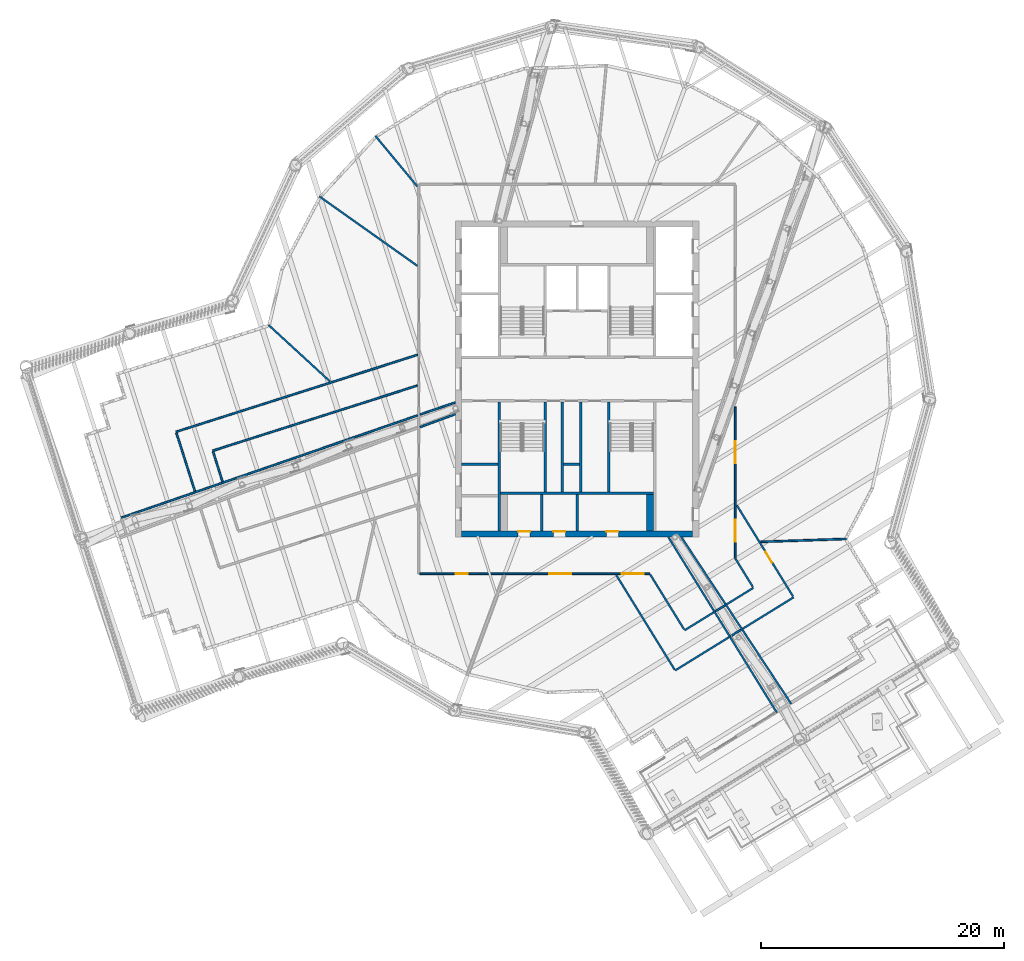
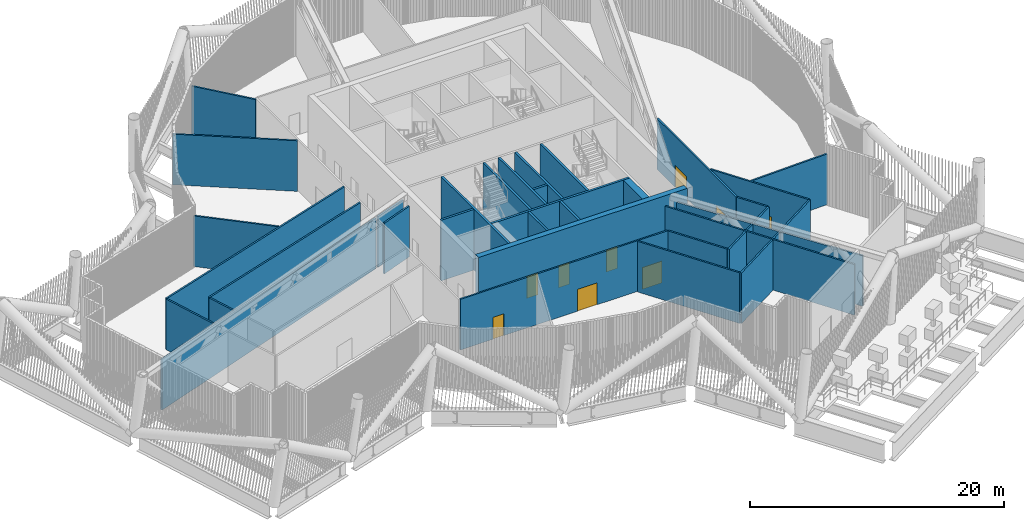
# One storey, part 13 of 40: 37 walls, 9 doors, 9 openings.
"""IFC4 building model written with IfcOpenShell, lengths in metres."""

import ifcopenshell
import ifcopenshell.guid

model = None  # the IFC model being written
_history = None  # IfcOwnerHistory: only IFC2X3 demands one
_inside = {}  # id of a spatial element -> (the spatial element, [elements in it])
_under = {}  # id of a project, library or spatial element -> (it, [spatial elements below it])
_declared = {}  # id of a project -> (the project, [libraries it declares])
_typed = {}  # id of a type object -> (the type object, [elements of that type])
_made_of = {}  # id of a material, layer set ... -> (it, [elements and type objects made of it])


def new_model(schema):
    """Start an empty IFC model of exactly this schema.

    Asked for "IFC4X3", IfcOpenShell would pick the latest addendum, in which some entities
    have other attributes; the version numbers below select the first issue.
    IFC2X3 requires an IfcOwnerHistory on every rooted entity: one is made here for all.
    """
    global model, _history
    if schema == "IFC4X3":
        model = ifcopenshell.file(schema_version=(4, 3, 0, 0))
    else:
        model = ifcopenshell.file(schema=schema)
    _inside.clear()
    _under.clear()
    _declared.clear()
    _typed.clear()
    _made_of.clear()
    _history = None
    if model.schema == "IFC2X3":
        org = make("IfcOrganization", Name="unknown")
        user = make(
            "IfcPersonAndOrganization",
            ThePerson=make("IfcPerson", FamilyName="unknown"),
            TheOrganization=org,
        )
        app = make(
            "IfcApplication",
            ApplicationDeveloper=org,
            Version="unknown",
            ApplicationFullName="unknown",
            ApplicationIdentifier="unknown",
        )
        _history = make(
            "IfcOwnerHistory",
            OwningUser=user,
            OwningApplication=app,
            ChangeAction="ADDED",
            CreationDate=0,
        )
    return model


def make(cls, **values):
    """One entity of the class cls with the attributes given. An attribute that is None is left unset."""
    return model.create_entity(
        cls, **{name: value for name, value in values.items() if value is not None}
    )


def rooted(cls, **values):
    """An entity with a GlobalId (a new one), such as an element, a storey or a relation."""
    return make(cls, GlobalId=ifcopenshell.guid.new(), OwnerHistory=_history, **values)


def si_unit(unit_type, name, prefix=None):
    """IfcSIUnit, for example si_unit("LENGTHUNIT", "METRE", prefix="MILLI")."""
    return make("IfcSIUnit", UnitType=unit_type, Prefix=prefix, Name=name)


def assignment(units):
    """IfcUnitAssignment: the units of a project."""
    return None if units is None else make("IfcUnitAssignment", Units=units)


def point(xyz):
    """IfcCartesianPoint."""
    return None if xyz is None else make("IfcCartesianPoint", Coordinates=xyz)


def direction(xyz):
    """IfcDirection."""
    return None if xyz is None else make("IfcDirection", DirectionRatios=xyz)


def frame(location, z_axis=None, x_axis=None):
    """IfcAxis2Placement3D, a coordinate frame: its origin and axes. An axis left out is left unset."""
    return make(
        "IfcAxis2Placement3D",
        Location=point(location),
        Axis=direction(z_axis),
        RefDirection=direction(x_axis),
    )


def frame_2d(location, x_axis=None):
    """IfcAxis2Placement2D, a coordinate frame in the plane: its origin and x axis."""
    return make(
        "IfcAxis2Placement2D", Location=point(location), RefDirection=direction(x_axis)
    )


def origin():
    """The frame at (0, 0, 0) with its axes left unset."""
    return frame((0.0, 0.0, 0.0))


def place(relative_to, where):
    """IfcLocalPlacement: puts the frame where relative to a parent placement (None: the world)."""
    return make(
        "IfcLocalPlacement", PlacementRelTo=relative_to, RelativePlacement=where
    )


def context(
    kind, dimensions, precision=None, world=None, true_north=None, identifier=None
):
    """IfcGeometricRepresentationContext, for example the 3D "Model" context."""
    return make(
        "IfcGeometricRepresentationContext",
        ContextIdentifier=identifier,
        ContextType=kind,
        CoordinateSpaceDimension=dimensions,
        Precision=precision,
        WorldCoordinateSystem=world,
        TrueNorth=true_north,
    )


def subcontext(parent, identifier, kind, view, scale=None):
    """IfcGeometricRepresentationSubContext, for example "Body" below "Model"."""
    return make(
        "IfcGeometricRepresentationSubContext",
        ContextIdentifier=identifier,
        ContextType=kind,
        ParentContext=parent,
        TargetScale=scale,
        TargetView=view,
    )


def project(units=None, contexts=None):
    """IfcProject with its units and contexts."""
    return rooted(
        "IfcProject",
        Name="project",
        RepresentationContexts=contexts,
        UnitsInContext=assignment(units),
    )


def spatial(cls, under=None, at=None, **own):
    """A site, building, storey or space (cls), placed at a placement, below another one or the project."""
    s = rooted(cls, ObjectPlacement=at, **own)
    if under is not None:
        _under.setdefault(under.id(), (under, []))[1].append(s)
    return s


def profile(cls, at=None, kind="AREA", **sizes):
    """A parametric profile (cls). Its sizes go by their IFC names, for example OverallWidth=200.0."""
    return make(cls, ProfileType=kind, Position=at, **sizes)


def rectangle(**sizes):
    """IfcRectangleProfileDef."""
    return profile("IfcRectangleProfileDef", **sizes)


def extrude(swept, where, along, depth):
    """IfcExtrudedAreaSolid: the profile swept, set in the frame where, extruded along a direction by depth."""
    return make(
        "IfcExtrudedAreaSolid",
        SweptArea=swept,
        Position=where,
        ExtrudedDirection=direction(along),
        Depth=depth,
    )


def shape(context_of_items, identifier, shape_type, items):
    """IfcShapeRepresentation: the items that make up one representation, for example the "Body"."""
    return make(
        "IfcShapeRepresentation",
        ContextOfItems=context_of_items,
        RepresentationIdentifier=identifier,
        RepresentationType=shape_type,
        Items=items,
    )


def material(Name=None, Category=None):
    """IfcMaterial."""
    return make("IfcMaterial", Name=Name, Category=Category)


def layer(
    of_material, thickness, ventilated=None, Name=None, Category=None, Priority=None
):
    """IfcMaterialLayer: one layer of a wall or slab, of a material (None: an air gap)."""
    return make(
        "IfcMaterialLayer",
        Material=of_material,
        LayerThickness=thickness,
        IsVentilated=ventilated,
        Name=Name,
        Category=Category,
        Priority=Priority,
    )


def layer_set(layers, Name=None):
    """IfcMaterialLayerSet."""
    return make("IfcMaterialLayerSet", MaterialLayers=layers, LayerSetName=Name)


def made_of(thing, what):
    """Note that an element or type object is made of a material, layer set ...; save() writes the relation."""
    if what is not None:
        _made_of.setdefault(what.id(), (what, []))[1].append(thing)
    return thing


def type_object(cls, material=None, **own):
    """A type object (cls), such as IfcWallType, which elements share."""
    return made_of(rooted(cls, **own), material)


def element(
    cls,
    number,
    at=None,
    inside=None,
    cuts=None,
    type_object=None,
    material=None,
    context=None,
    identifier="Body",
    shape_type=None,
    held_by="IfcProductDefinitionShape",
    body=None,
    shapes=None,
    **own,
):
    """One element of the class cls, such as IfcWall. Its Tag is "e" and its number.

    at: its placement. inside: the storey or other place that contains it. cuts: it is an
    opening in that element (IfcRelVoidsElement). A single representation is given by context,
    identifier, shape_type and body (its items); several are given by shapes. held_by: the class
    of the entity that holds the representations. save() writes the other relations.
    """
    e = rooted(cls, Tag="e%d" % number, ObjectPlacement=at, **own)
    if body is not None:
        shapes = [shape(context, identifier, shape_type, body)]
    if shapes is not None:
        e.Representation = make(held_by, Representations=shapes)
    if inside is not None:
        _inside.setdefault(inside.id(), (inside, []))[1].append(e)
    if cuts is not None:
        rooted(
            "IfcRelVoidsElement", RelatingBuildingElement=cuts, RelatedOpeningElement=e
        )
    if type_object is not None:
        _typed.setdefault(type_object.id(), (type_object, []))[1].append(e)
    return made_of(e, material)


def fill(opening, filler):
    """IfcRelFillsElement: the door or window that sits in an opening."""
    return rooted(
        "IfcRelFillsElement",
        RelatingOpeningElement=opening,
        RelatedBuildingElement=filler,
    )


def aggregate(whole, parts):
    """IfcRelAggregates: a whole, such as a stair, and the parts it consists of."""
    return rooted("IfcRelAggregates", RelatingObject=whole, RelatedObjects=parts)


def save(model, path):
    """Write the relations noted so far, then the file.

    IfcRelAggregates (storeys below a building ...), IfcRelContainedInSpatialStructure (elements
    in a storey), IfcRelDefinesByType, IfcRelAssociatesMaterial and IfcRelDeclares: one each for
    every whole, place, type object, material and project.
    """
    for whole, parts in _under.values():
        aggregate(whole, parts)
    for where, things in _inside.values():
        rooted(
            "IfcRelContainedInSpatialStructure",
            RelatedElements=things,
            RelatingStructure=where,
        )
    for kind, things in _typed.values():
        rooted("IfcRelDefinesByType", RelatedObjects=things, RelatingType=kind)
    for what, things in _made_of.values():
        rooted("IfcRelAssociatesMaterial", RelatedObjects=things, RelatingMaterial=what)
    for by, libraries in _declared.values():
        rooted("IfcRelDeclares", RelatingContext=by, RelatedDefinitions=libraries)
    model.write(path)


model = new_model("IFC4")

# Units and contexts
model_context = context("Model", 3, precision=1e-05, world=origin(), true_north=direction((0.0, 1.0)))
body_context = subcontext(model_context, "Body", "Model", "MODEL_VIEW")
ifc_project = project(units=[si_unit("LENGTHUNIT", "METRE"), si_unit("AREAUNIT", "SQUARE_METRE"), si_unit("VOLUMEUNIT", "CUBIC_METRE"), si_unit("PLANEANGLEUNIT", "RADIAN"), si_unit("MASSUNIT", "GRAM", prefix="KILO")], contexts=[model_context])

# Site, building, storey
site_placement = place(None, origin())
site = spatial("IfcSite", under=ifc_project, at=site_placement, CompositionType="ELEMENT")
building_placement = place(site_placement, origin())
building = spatial("IfcBuilding", under=site, at=building_placement, Name="Tarsis Ring Headquarters", CompositionType="ELEMENT")
storey_placement = place(building_placement, frame((0.0, 0.0, 354.800048828125)))
storey = spatial("IfcBuildingStorey", under=building, at=storey_placement, Name="L84", CompositionType="ELEMENT", Elevation=354.800048828125)

# Walls
ifc_material_1 = material(Name="Blockwork", Category="masonry")
ifc_layer_1 = layer(ifc_material_1, 0.199951171875)
ifc_layer_set_1 = layer_set([ifc_layer_1], Name="Core blockwork wall 200")
wall_type_1 = type_object("IfcWallType", Name="Core blockwork wall 200", PredefinedType="PARTITIONING", material=ifc_layer_set_1)
for number, where, z_axis, x_axis, name in (
    (1, (-9.5, -7.0, 0.0), (0.0, 0.0, 1.0), (1.0, 0.0, 0.0), "Core partition WD2"),
    (2, (-2.89990234375, -12.5, 0.0), (0.0, 0.0, 1.0), (0.0, 1.0, 0.0), "Core partition SD1"),
    (3, (0.0, -12.5, 0.0), (0.0, 0.0, 1.0), (0.0, 1.0, 0.0), "Core partition SD2"),
):
    element("IfcWall", number, at=place(storey_placement, frame(where, z_axis=z_axis, x_axis=x_axis)), inside=storey, type_object=wall_type_1, Name=name, PredefinedType="PARTITIONING", context=body_context, shape_type="SweptSolid", body=[
        extrude(rectangle(XDim=3.0, YDim=0.199951171875, at=frame_2d((1.5, 0.0))), origin(), (0.0, 0.0, 1.0), 5.83984375),
    ])
wall_1_placement = place(storey_placement, frame((-1.10009765625, -7.0, 0.0), z_axis=(0.0, 0.0, 1.0), x_axis=(1.0, 0.0, 0.0)))
element("IfcWall", 4, at=wall_1_placement, inside=storey, type_object=wall_type_1, Name="Core partition SP2", PredefinedType="PARTITIONING", context=body_context, shape_type="SweptSolid", body=[
    extrude(rectangle(XDim=1.300048828125, YDim=0.199951171875, at=frame_2d((0.64990234375, 0.0))), origin(), (0.0, 0.0, 1.0), 5.83984375),
])
for number, where, z_axis, x_axis, name in (
    (5, (-1.199951171875, -9.300048828125, 0.0), (0.0, 0.0, 1.0), (0.0, 1.0, 0.0), "Core partition SV1"),
    (6, (0.300048828125, -9.300048828125, 0.0), (0.0, 0.0, 1.0), (0.0, 1.0, 0.0), "Core partition SV2"),
):
    element("IfcWall", number, at=place(storey_placement, frame(where, z_axis=z_axis, x_axis=x_axis)), inside=storey, type_object=wall_type_1, Name=name, PredefinedType="PARTITIONING", context=body_context, shape_type="SweptSolid", body=[
        extrude(rectangle(XDim=7.400146484375, YDim=0.199951171875, at=frame_2d((3.7001953125, 0.0))), origin(), (0.0, 0.0, 1.0), 5.83984375),
    ])

# Wall, openings, doors
ifc_material_2 = material(Name="Concrete C50/60", Category="concrete")
ifc_layer_2 = layer(ifc_material_2, 0.5)
ifc_layer_set_2 = layer_set([ifc_layer_2], Name="Core wall 500 C50/60")
wall_type_2 = type_object("IfcWallType", Name="Core wall 500 C50/60", PredefinedType="SHEAR", material=ifc_layer_set_2)
wall_2_placement = place(storey_placement, frame((-9.5, -12.75, 0.0), z_axis=(0.0, 0.0, 1.0), x_axis=(1.0, 0.0, 0.0)))
wall_2 = element("IfcWall", 7, at=wall_2_placement, inside=storey, type_object=wall_type_2, Name="Core wall OS", PredefinedType="SHEAR", context=body_context, shape_type="SweptSolid", body=[
    extrude(rectangle(XDim=19.0, YDim=0.5, at=frame_2d((9.5, 0.0))), origin(), (0.0, 0.0, 1.0), 5.83984375),
])
opening_1_placement = place(wall_2_placement, frame((4.64990234375, 0.0, 0.0)))
opening_1 = element("IfcOpeningElement", 8, at=opening_1_placement, cuts=wall_2, Name="Opening L84-C16", PredefinedType="OPENING", context=body_context, shape_type="SweptSolid", body=[
    extrude(rectangle(XDim=1.0, YDim=2.10009765625, at=frame_2d((0.5, 1.050048828125))), frame((0.0, 0.260009765625, 0.0), z_axis=(0.0, -1.0, 0.0), x_axis=(1.0, 0.0, 0.0)), (0.0, 0.0, 1.0), 0.52001953125),
])
opening_2_placement = place(wall_2_placement, frame((7.550048828125, 0.0, 0.0)))
opening_2 = element("IfcOpeningElement", 9, at=opening_2_placement, cuts=wall_2, Name="Opening L84-C17", PredefinedType="OPENING", context=body_context, shape_type="SweptSolid", body=[
    extrude(rectangle(XDim=1.0, YDim=2.10009765625, at=frame_2d((0.5, 1.050048828125))), frame((0.0, 0.260009765625, 0.0), z_axis=(0.0, -1.0, 0.0), x_axis=(1.0, 0.0, 0.0)), (0.0, 0.0, 1.0), 0.52001953125),
])
opening_3_placement = place(wall_2_placement, frame((11.89990234375, 0.0, 0.0)))
opening_3 = element("IfcOpeningElement", 10, at=opening_3_placement, cuts=wall_2, Name="Opening L84-C18", PredefinedType="OPENING", context=body_context, shape_type="SweptSolid", body=[
    extrude(rectangle(XDim=1.0, YDim=2.10009765625, at=frame_2d((0.5, 1.050048828125))), frame((0.0, 0.260009765625, 0.0), z_axis=(0.0, -1.0, 0.0), x_axis=(1.0, 0.0, 0.0)), (0.0, 0.0, 1.0), 0.52001953125),
])
ifc_material_3 = material(Name="Steel S355", Category="steel")
door_type_1 = type_object("IfcDoorType", Name="Core room door 1000x2100", OperationType="SINGLE_SWING_LEFT", PredefinedType="DOOR", material=ifc_material_3)
door_1_placement = place(opening_1_placement, origin())
door_1 = element("IfcDoor", 11, at=door_1_placement, inside=storey, type_object=door_type_1, Name="Core room door L84", OperationType="SINGLE_SWING_LEFT", OverallHeight=2.10009765625, OverallWidth=1.0, PredefinedType="DOOR", context=body_context, shape_type="SweptSolid", body=[
    extrude(rectangle(XDim=1.0, YDim=2.10009765625, at=frame_2d((0.5, 1.050048828125))), frame((0.0, 0.25, 0.0), z_axis=(0.0, -1.0, 0.0), x_axis=(1.0, 0.0, 0.0)), (0.0, 0.0, 1.0), 0.050048828125),
])
fill(opening_1, door_1)
door_2_placement = place(opening_2_placement, origin())
door_2 = element("IfcDoor", 12, at=door_2_placement, inside=storey, type_object=door_type_1, Name="Core room door L84", OperationType="SINGLE_SWING_LEFT", OverallHeight=2.10009765625, OverallWidth=1.0, PredefinedType="DOOR", context=body_context, shape_type="SweptSolid", body=[
    extrude(rectangle(XDim=1.0, YDim=2.10009765625, at=frame_2d((0.5, 1.050048828125))), frame((0.0, 0.25, 0.0), z_axis=(0.0, -1.0, 0.0), x_axis=(1.0, 0.0, 0.0)), (0.0, 0.0, 1.0), 0.050048828125),
])
fill(opening_2, door_2)
door_3_placement = place(opening_3_placement, origin())
door_3 = element("IfcDoor", 13, at=door_3_placement, inside=storey, type_object=door_type_1, Name="Core room door L84", OperationType="SINGLE_SWING_LEFT", OverallHeight=2.10009765625, OverallWidth=1.0, PredefinedType="DOOR", context=body_context, shape_type="SweptSolid", body=[
    extrude(rectangle(XDim=1.0, YDim=2.10009765625, at=frame_2d((0.5, 1.050048828125))), frame((0.0, 0.25, 0.0), z_axis=(0.0, -1.0, 0.0), x_axis=(1.0, 0.0, 0.0)), (0.0, 0.0, 1.0), 0.050048828125),
])
fill(opening_3, door_3)

# Walls
ifc_material_4 = material(Name="Gypsum board on steel studs", Category="steel")
ifc_layer_3 = layer(ifc_material_4, 0.14990234375)
ifc_layer_set_3 = layer_set([ifc_layer_3], Name="FL partition 150 EI 120 H4870")
wall_type_3 = type_object("IfcWallType", Name="FL partition 150 EI 120 H4870", PredefinedType="PARTITIONING", material=ifc_layer_set_3)
wall_3_placement = place(storey_placement, frame((-12.89892578125, -3.954345703125, 0.0), z_axis=(0.0, 0.0, 1.0), x_axis=(0.938047515507, 0.346506650227, 0.0)))
element("IfcWall", 14, at=wall_3_placement, inside=storey, type_object=wall_type_3, Name="Partition PW2H487", PredefinedType="PARTITIONING", context=body_context, shape_type="SweptSolid", body=[
    extrude(rectangle(XDim=3.091796875, YDim=0.14990234375, at=frame_2d((1.5458984375, 0.0))), origin(), (0.0, 0.0, 1.0), 4.869873046875),
])
wall_4_placement = place(storey_placement, frame((-37.455078125, -11.40576171875, 0.0), z_axis=(0.0, 0.0, 1.0), x_axis=(0.94518302796, 0.326541029056, 0.0)))
element("IfcWall", 15, at=wall_4_placement, inside=storey, type_object=wall_type_3, Name="Partition PW2H487", PredefinedType="PARTITIONING", context=body_context, shape_type="SweptSolid", body=[
    extrude(rectangle(XDim=25.76806640625, YDim=0.14990234375, at=frame_2d((12.884033203125, 0.0))), origin(), (0.0, 0.0, 1.0), 4.869873046875),
])
wall_5_placement = place(storey_placement, frame((-12.900390625, -2.922607421875, 0.0), z_axis=(0.0, 0.0, 1.0), x_axis=(0.945180826637, 0.326547400782, 0.0)))
element("IfcWall", 16, at=wall_5_placement, inside=storey, type_object=wall_type_3, Name="Partition PW2H487", PredefinedType="PARTITIONING", context=body_context, shape_type="SweptSolid", body=[
    extrude(rectangle(XDim=3.067626953125, YDim=0.14990234375, at=frame_2d((1.53369140625, 0.0))), origin(), (0.0, 0.0, 1.0), 4.869873046875),
])
wall_6_placement = place(storey_placement, frame((-32.94775390625, -4.34130859375, 0.0), z_axis=(0.0, 0.0, 1.0), x_axis=(0.952767461841, 0.303700779809, 0.0)))
element("IfcWall", 17, at=wall_6_placement, inside=storey, type_object=wall_type_3, Name="Partition PW2H487", PredefinedType="PARTITIONING", context=body_context, shape_type="SweptSolid", body=[
    extrude(rectangle(XDim=20.836669921875, YDim=0.14990234375, at=frame_2d((10.41845703125, 0.0))), origin(), (0.0, 0.0, 1.0), 4.869873046875),
])

# Wall, openings, doors
wall_7_placement = place(storey_placement, frame((-12.919921875, -16.0, 0.0), z_axis=(0.0, 0.0, 1.0), x_axis=(1.0, 0.0, 0.0)))
wall_7 = element("IfcWall", 18, at=wall_7_placement, inside=storey, type_object=wall_type_3, Name="Partition PW2H487", PredefinedType="PARTITIONING", context=body_context, shape_type="SweptSolid", body=[
    extrude(rectangle(XDim=18.892578125, YDim=0.14990234375, at=frame_2d((9.4462890625, 0.0))), origin(), (0.0, 0.0, 1.0), 4.869873046875),
])
opening_4_placement = place(wall_7_placement, frame((2.95751953125, 0.0, 0.0)))
opening_4 = element("IfcOpeningElement", 19, at=opening_4_placement, cuts=wall_7, Name="Opening D84.02", PredefinedType="OPENING", context=body_context, shape_type="SweptSolid", body=[
    extrude(rectangle(XDim=1.0, YDim=2.10009765625, at=frame_2d((0.5, 1.050048828125))), frame((0.0, 0.0849609375, 0.0), z_axis=(0.0, -1.0, 0.0), x_axis=(1.0, 0.0, 0.0)), (0.0, 0.0, 1.0), 0.169921875),
])
opening_5_placement = place(wall_7_placement, frame((10.6337890625, 0.0, 0.0)))
opening_5 = element("IfcOpeningElement", 20, at=opening_5_placement, cuts=wall_7, Name="Opening D84.03", PredefinedType="OPENING", context=body_context, shape_type="SweptSolid", body=[
    extrude(rectangle(XDim=1.800048828125, YDim=2.10009765625, at=frame_2d((0.89990234375, 1.050048828125))), frame((0.0, 0.0849609375, 0.0), z_axis=(0.0, -1.0, 0.0), x_axis=(1.0, 0.0, 0.0)), (0.0, 0.0, 1.0), 0.169921875),
])
opening_6_placement = place(wall_7_placement, frame((16.582763671875, 0.0, 0.0)))
opening_6 = element("IfcOpeningElement", 21, at=opening_6_placement, cuts=wall_7, Name="Opening D84.15", PredefinedType="OPENING", context=body_context, shape_type="SweptSolid", body=[
    extrude(rectangle(XDim=1.800048828125, YDim=2.10009765625, at=frame_2d((0.89990234375, 1.050048828125))), frame((0.0, 0.0849609375, 0.0), z_axis=(0.0, -1.0, 0.0), x_axis=(1.0, 0.0, 0.0)), (0.0, 0.0, 1.0), 0.169921875),
])
ifc_material_5 = material(Name="Fire-rated timber door leaf in steel frame", Category="steel")
door_type_2 = type_object("IfcDoorType", Name="FL door FD120-1000", OperationType="NOTDEFINED", PredefinedType="DOOR", material=ifc_material_5)
door_4_placement = place(opening_4_placement, origin())
door_4 = element("IfcDoor", 22, at=door_4_placement, inside=storey, type_object=door_type_2, Name="Door D84.02", OperationType="SINGLE_SWING_RIGHT", OverallHeight=2.10009765625, OverallWidth=1.0, PredefinedType="DOOR", context=body_context, shape_type="SweptSolid", body=[
    extrude(rectangle(XDim=1.0, YDim=2.10009765625, at=frame_2d((0.5, 1.050048828125))), frame((0.0, 0.02490234375, 0.0), z_axis=(0.0, -1.0, 0.0), x_axis=(1.0, 0.0, 0.0)), (0.0, 0.0, 1.0), 0.050048828125),
])
fill(opening_4, door_4)
door_type_3 = type_object("IfcDoorType", Name="FL door FD120-1800", OperationType="DOUBLE_DOOR_SINGLE_SWING", PredefinedType="DOOR", material=ifc_material_5)
door_5_placement = place(opening_5_placement, origin())
door_5 = element("IfcDoor", 23, at=door_5_placement, inside=storey, type_object=door_type_3, Name="Door D84.03", OperationType="DOUBLE_DOOR_SINGLE_SWING", OverallHeight=2.10009765625, OverallWidth=1.800048828125, PredefinedType="DOOR", context=body_context, shape_type="SweptSolid", body=[
    extrude(rectangle(XDim=1.800048828125, YDim=2.10009765625, at=frame_2d((0.89990234375, 1.050048828125))), frame((0.0, 0.02490234375, 0.0), z_axis=(0.0, -1.0, 0.0), x_axis=(1.0, 0.0, 0.0)), (0.0, 0.0, 1.0), 0.050048828125),
])
fill(opening_5, door_5)
door_6_placement = place(opening_6_placement, origin())
door_6 = element("IfcDoor", 24, at=door_6_placement, inside=storey, type_object=door_type_3, Name="Door D84.15", OperationType="DOUBLE_DOOR_SINGLE_SWING", OverallHeight=2.10009765625, OverallWidth=1.800048828125, PredefinedType="DOOR", context=body_context, shape_type="SweptSolid", body=[
    extrude(rectangle(XDim=1.800048828125, YDim=2.10009765625, at=frame_2d((0.89990234375, 1.050048828125))), frame((0.0, 0.02490234375, 0.0), z_axis=(0.0, -1.0, 0.0), x_axis=(1.0, 0.0, 0.0)), (0.0, 0.0, 1.0), 0.050048828125),
])
fill(opening_6, door_6)

# Walls
wall_8_placement = place(storey_placement, frame((-29.93212890625, -5.899169921875, 0.0), z_axis=(0.0, 0.0, 1.0), x_axis=(0.95276634352, 0.303704288174, 0.0)))
element("IfcWall", 25, at=wall_8_placement, inside=storey, type_object=wall_type_3, Name="Partition PW2H487", PredefinedType="PARTITIONING", context=body_context, shape_type="SweptSolid", body=[
    extrude(rectangle(XDim=17.671630859375, YDim=0.14990234375, at=frame_2d((8.8359375, 0.0))), origin(), (0.0, 0.0, 1.0), 4.869873046875),
])
wall_9_placement = place(storey_placement, frame((7.507568359375, -13.0, 0.0), z_axis=(0.0, 0.0, 1.0), x_axis=(0.525824751102, -0.850592929155, 0.0)))
element("IfcWall", 26, at=wall_9_placement, inside=storey, type_object=wall_type_3, Name="Partition PW2H487", PredefinedType="PARTITIONING", context=body_context, shape_type="SweptSolid", body=[
    extrude(rectangle(XDim=16.944091796875, YDim=0.14990234375, at=frame_2d((8.47216796875, 0.0))), origin(), (0.0, 0.0, 1.0), 4.869873046875),
])
wall_10_placement = place(storey_placement, frame((8.574951171875, -13.000244140625, 0.0), z_axis=(0.0, 0.0, 1.0), x_axis=(0.550068362599, -0.835119630033, 0.0)))
element("IfcWall", 27, at=wall_10_placement, inside=storey, type_object=wall_type_3, Name="Partition PW2H487", PredefinedType="PARTITIONING", context=body_context, shape_type="SweptSolid", body=[
    extrude(rectangle(XDim=16.390380859375, YDim=0.14990234375, at=frame_2d((8.1953125, 0.0))), origin(), (0.0, 0.0, 1.0), 4.869873046875),
])

# Wall, openings, doors
wall_11_placement = place(storey_placement, frame((13.0, -14.743408203125, 0.0), z_axis=(0.0, 0.0, 1.0), x_axis=(0.0, 1.0, 0.0)))
wall_11 = element("IfcWall", 28, at=wall_11_placement, inside=storey, type_object=wall_type_3, Name="Partition PW2H487", PredefinedType="PARTITIONING", context=body_context, shape_type="SweptSolid", body=[
    extrude(rectangle(XDim=12.455810546875, YDim=0.14990234375, at=frame_2d((6.22802734375, 0.0))), origin(), (0.0, 0.0, 1.0), 4.869873046875),
])
opening_7_placement = place(wall_11_placement, frame((7.81787109375, 0.0, 0.0)))
opening_7 = element("IfcOpeningElement", 29, at=opening_7_placement, cuts=wall_11, Name="Opening D84.10", PredefinedType="OPENING", context=body_context, shape_type="SweptSolid", body=[
    extrude(rectangle(XDim=1.800048828125, YDim=2.10009765625, at=frame_2d((0.89990234375, 1.050048828125))), frame((0.0, 0.0849609375, 0.0), z_axis=(0.0, -1.0, 0.0), x_axis=(1.0, 0.0, 0.0)), (0.0, 0.0, 1.0), 0.169921875),
])
opening_8_placement = place(wall_11_placement, frame((1.385009765625, 0.0, 0.0)))
opening_8 = element("IfcOpeningElement", 30, at=opening_8_placement, cuts=wall_11, Name="Opening D84.14", PredefinedType="OPENING", context=body_context, shape_type="SweptSolid", body=[
    extrude(rectangle(XDim=1.800048828125, YDim=2.10009765625, at=frame_2d((0.89990234375, 1.050048828125))), frame((0.0, 0.0849609375, 0.0), z_axis=(0.0, -1.0, 0.0), x_axis=(1.0, 0.0, 0.0)), (0.0, 0.0, 1.0), 0.169921875),
])
door_7_placement = place(opening_7_placement, origin())
door_7 = element("IfcDoor", 31, at=door_7_placement, inside=storey, type_object=door_type_3, Name="Door D84.10", OperationType="DOUBLE_DOOR_SINGLE_SWING", OverallHeight=2.10009765625, OverallWidth=1.800048828125, PredefinedType="DOOR", context=body_context, shape_type="SweptSolid", body=[
    extrude(rectangle(XDim=1.800048828125, YDim=2.10009765625, at=frame_2d((0.89990234375, 1.050048828125))), frame((0.0, 0.02490234375, 0.0), z_axis=(0.0, -1.0, 0.0), x_axis=(1.0, 0.0, 0.0)), (0.0, 0.0, 1.0), 0.050048828125),
])
fill(opening_7, door_7)
door_8_placement = place(opening_8_placement, origin())
door_8 = element("IfcDoor", 32, at=door_8_placement, inside=storey, type_object=door_type_3, Name="Door D84.14", OperationType="DOUBLE_DOOR_SINGLE_SWING", OverallHeight=2.10009765625, OverallWidth=1.800048828125, PredefinedType="DOOR", context=body_context, shape_type="SweptSolid", body=[
    extrude(rectangle(XDim=1.800048828125, YDim=2.10009765625, at=frame_2d((0.89990234375, 1.050048828125))), frame((0.0, 0.02490234375, 0.0), z_axis=(0.0, -1.0, 0.0), x_axis=(1.0, 0.0, 0.0)), (0.0, 0.0, 1.0), 0.050048828125),
])
fill(opening_8, door_8)

# Walls
wall_12_placement = place(storey_placement, frame((8.056884765625, -23.947021484375, 0.0), z_axis=(0.0, 0.0, 1.0), x_axis=(0.850988816388, 0.525183810092, 0.0)))
element("IfcWall", 33, at=wall_12_placement, inside=storey, type_object=wall_type_3, Name="Partition PW2H487", PredefinedType="PARTITIONING", context=body_context, shape_type="SweptSolid", body=[
    extrude(rectangle(XDim=5.2138671875, YDim=0.14990234375, at=frame_2d((2.60693359375, 0.0))), origin(), (0.0, 0.0, 1.0), 4.869873046875),
])
wall_13_placement = place(storey_placement, frame((12.62158203125, -21.1298828125, 0.0), z_axis=(0.0, 0.0, 1.0), x_axis=(0.850956006597, 0.525236970173, 0.0)))
element("IfcWall", 34, at=wall_13_placement, inside=storey, type_object=wall_type_3, Name="Partition PW2H487", PredefinedType="PARTITIONING", context=body_context, shape_type="SweptSolid", body=[
    extrude(rectangle(XDim=1.015625, YDim=0.14990234375, at=frame_2d((0.5078125, 0.0))), origin(), (0.0, 0.0, 1.0), 4.869873046875),
])
wall_14_placement = place(storey_placement, frame((13.617431640625, -20.515380859375, 0.0), z_axis=(0.0, 0.0, 1.0), x_axis=(0.850992950397, 0.525177111435, 0.0)))
element("IfcWall", 35, at=wall_14_placement, inside=storey, type_object=wall_type_3, Name="Partition PW2H487", PredefinedType="PARTITIONING", context=body_context, shape_type="SweptSolid", body=[
    extrude(rectangle(XDim=4.90576171875, YDim=0.14990234375, at=frame_2d((2.452880859375, 0.0))), origin(), (0.0, 0.0, 1.0), 4.869873046875),
])
wall_15_placement = place(storey_placement, frame((-21.171875, 15.001708984375, 0.0), z_axis=(0.0, 0.0, 1.0), x_axis=(0.815933703892, -0.57814547551, 0.0)))
element("IfcWall", 36, at=wall_15_placement, inside=storey, type_object=wall_type_3, Name="Partition PW2H487", PredefinedType="PARTITIONING", context=body_context, shape_type="SweptSolid", body=[
    extrude(rectangle(XDim=9.88525390625, YDim=0.14990234375, at=frame_2d((4.942626953125, 0.0))), origin(), (0.0, 0.0, 1.0), 4.869873046875),
])
wall_16_placement = place(storey_placement, frame((3.215576171875, -16.102294921875, 0.0), z_axis=(0.0, 0.0, 1.0), x_axis=(0.525185134404, -0.850987999093, 0.0)))
element("IfcWall", 37, at=wall_16_placement, inside=storey, type_object=wall_type_3, Name="Partition PW2H487", PredefinedType="PARTITIONING", context=body_context, shape_type="SweptSolid", body=[
    extrude(rectangle(XDim=9.138427734375, YDim=0.14990234375, at=frame_2d((4.5693359375, 0.0))), origin(), (0.0, 0.0, 1.0), 4.869873046875),
])

# Wall, opening, door
wall_17_placement = place(storey_placement, frame((13.126220703125, -10.3779296875, 0.0), z_axis=(0.0, 0.0, 1.0), x_axis=(0.52516757268, -0.850998837018, 0.0)))
wall_17 = element("IfcWall", 38, at=wall_17_placement, inside=storey, type_object=wall_type_3, Name="Partition PW2H487", PredefinedType="PARTITIONING", context=body_context, shape_type="SweptSolid", body=[
    extrude(rectangle(XDim=8.804931640625, YDim=0.14990234375, at=frame_2d((4.40234375, 0.0))), origin(), (0.0, 0.0, 1.0), 4.869873046875),
])
opening_9_placement = place(wall_17_placement, frame((4.509765625, 0.0, 0.0)))
opening_9 = element("IfcOpeningElement", 39, at=opening_9_placement, cuts=wall_17, Name="Opening D84.11", PredefinedType="OPENING", context=body_context, shape_type="SweptSolid", body=[
    extrude(rectangle(XDim=1.0, YDim=2.10009765625, at=frame_2d((0.5, 1.050048828125))), frame((0.0, 0.0849609375, 0.0), z_axis=(0.0, -1.0, 0.0), x_axis=(1.0, 0.0, 0.0)), (0.0, 0.0, 1.0), 0.169921875),
])
door_9_placement = place(opening_9_placement, origin())
door_9 = element("IfcDoor", 40, at=door_9_placement, inside=storey, type_object=door_type_2, Name="Door D84.11", OperationType="SINGLE_SWING_LEFT", OverallHeight=2.10009765625, OverallWidth=1.0, PredefinedType="DOOR", context=body_context, shape_type="SweptSolid", body=[
    extrude(rectangle(XDim=1.0, YDim=2.10009765625, at=frame_2d((0.5, 1.050048828125))), frame((0.0, 0.02490234375, 0.0), z_axis=(0.0, -1.0, 0.0), x_axis=(1.0, 0.0, 0.0)), (0.0, 0.0, 1.0), 0.050048828125),
])
fill(opening_9, door_9)

# Walls
wall_18_placement = place(storey_placement, frame((15.10205078125, -13.37890625, 0.0), z_axis=(0.0, 0.0, 1.0), x_axis=(0.999432886179, 0.033673521096, 0.0)))
element("IfcWall", 41, at=wall_18_placement, inside=storey, type_object=wall_type_3, Name="Partition PW2H487", PredefinedType="PARTITIONING", context=body_context, shape_type="SweptSolid", body=[
    extrude(rectangle(XDim=7.025390625, YDim=0.14990234375, at=frame_2d((3.5126953125, 0.0))), origin(), (0.0, 0.0, 1.0), 4.869873046875),
])
wall_19_placement = place(storey_placement, frame((-25.347412109375, 4.4365234375, 0.0), z_axis=(0.0, 0.0, 1.0), x_axis=(0.736451279685, -0.67649058578, 0.0)))
element("IfcWall", 42, at=wall_19_placement, inside=storey, type_object=wall_type_3, Name="Partition PW2H487", PredefinedType="PARTITIONING", context=body_context, shape_type="SweptSolid", body=[
    extrude(rectangle(XDim=6.8525390625, YDim=0.14990234375, at=frame_2d((3.42626953125, 0.0))), origin(), (0.0, 0.0, 1.0), 4.869873046875),
])
wall_20_placement = place(storey_placement, frame((8.840576171875, -20.64306640625, 0.0), z_axis=(0.0, 0.0, 1.0), x_axis=(0.851001311892, 0.525163562291, 0.0)))
element("IfcWall", 43, at=wall_20_placement, inside=storey, type_object=wall_type_3, Name="Partition PW2H487", PredefinedType="PARTITIONING", context=body_context, shape_type="SweptSolid", body=[
    extrude(rectangle(XDim=2.809814453125, YDim=0.14990234375, at=frame_2d((1.40478515625, 0.0))), origin(), (0.0, 0.0, 1.0), 4.869873046875),
])
wall_21_placement = place(storey_placement, frame((11.359619140625, -19.08837890625, 0.0), z_axis=(0.0, 0.0, 1.0), x_axis=(0.851055629186, 0.525075533643, 0.0)))
element("IfcWall", 44, at=wall_21_placement, inside=storey, type_object=wall_type_3, Name="Partition PW2H487", PredefinedType="PARTITIONING", context=body_context, shape_type="SweptSolid", body=[
    extrude(rectangle(XDim=0.94677734375, YDim=0.14990234375, at=frame_2d((0.473388671875, 0.0))), origin(), (0.0, 0.0, 1.0), 4.869873046875),
])
wall_22_placement = place(storey_placement, frame((12.296630859375, -18.51025390625, 0.0), z_axis=(0.0, 0.0, 1.0), x_axis=(0.851026095215, 0.525123400034, 0.0)))
element("IfcWall", 45, at=wall_22_placement, inside=storey, type_object=wall_type_3, Name="Partition PW2H487", PredefinedType="PARTITIONING", context=body_context, shape_type="SweptSolid", body=[
    extrude(rectangle(XDim=2.57470703125, YDim=0.14990234375, at=frame_2d((1.287353515625, 0.0))), origin(), (0.0, 0.0, 1.0), 4.869873046875),
])
wall_23_placement = place(storey_placement, frame((6.00439453125, -16.051025390625, 0.0), z_axis=(0.0, 0.0, 1.0), x_axis=(0.525168194778, -0.850998453109, 0.0)))
element("IfcWall", 46, at=wall_23_placement, inside=storey, type_object=wall_type_3, Name="Partition PW2H487", PredefinedType="PARTITIONING", context=body_context, shape_type="SweptSolid", body=[
    extrude(rectangle(XDim=5.3154296875, YDim=0.14990234375, at=frame_2d((2.65771484375, 0.0))), origin(), (0.0, 0.0, 1.0), 4.869873046875),
])
wall_24_placement = place(storey_placement, frame((-16.567626953125, 19.969970703125, 0.0), z_axis=(0.0, 0.0, 1.0), x_axis=(0.63849666328, -0.76962459094, 0.0)))
element("IfcWall", 47, at=wall_24_placement, inside=storey, type_object=wall_type_3, Name="Partition PW2H487", PredefinedType="PARTITIONING", context=body_context, shape_type="SweptSolid", body=[
    extrude(rectangle(XDim=5.3974609375, YDim=0.14990234375, at=frame_2d((2.69873046875, 0.0))), origin(), (0.0, 0.0, 1.0), 4.869873046875),
])
wall_25_placement = place(storey_placement, frame((-32.92333984375, -4.41748046875, 0.0), z_axis=(0.0, 0.0, 1.0), x_axis=(0.303654600935, -0.952782180423, 0.0)))
element("IfcWall", 48, at=wall_25_placement, inside=storey, type_object=wall_type_3, Name="Partition PW2H487", PredefinedType="PARTITIONING", context=body_context, shape_type="SweptSolid", body=[
    extrude(rectangle(XDim=5.050048828125, YDim=0.14990234375, at=frame_2d((2.52490234375, 0.0))), origin(), (0.0, 0.0, 1.0), 4.869873046875),
])
wall_26_placement = place(storey_placement, frame((13.015869140625, -14.76904296875, 0.0), z_axis=(0.0, 0.0, 1.0), x_axis=(0.525132187655, -0.851020672774, 0.0)))
element("IfcWall", 49, at=wall_26_placement, inside=storey, type_object=wall_type_3, Name="Partition PW2H487", PredefinedType="PARTITIONING", context=body_context, shape_type="SweptSolid", body=[
    extrude(rectangle(XDim=2.723876953125, YDim=0.14990234375, at=frame_2d((1.36181640625, 0.0))), origin(), (0.0, 0.0, 1.0), 4.869873046875),
])
wall_27_placement = place(storey_placement, frame((-29.907958984375, -5.975341796875, 0.0), z_axis=(0.0, 0.0, 1.0), x_axis=(0.303740081085, -0.952754933413, 0.0)))
element("IfcWall", 50, at=wall_27_placement, inside=storey, type_object=wall_type_3, Name="Partition PW2H487", PredefinedType="PARTITIONING", context=body_context, shape_type="SweptSolid", body=[
    extrude(rectangle(XDim=2.59228515625, YDim=0.14990234375, at=frame_2d((1.296142578125, 0.0))), origin(), (0.0, 0.0, 1.0), 4.869873046875),
])
ifc_material_6 = material(Name="Concrete C32/40", Category="concrete")
ifc_layer_4 = layer(ifc_material_6, 0.60009765625)
ifc_layer_set_4 = layer_set([ifc_layer_4], Name="Shaft end wall 600 C32/40")
wall_type_4 = type_object("IfcWallType", Name="Shaft end wall 600 C32/40", PredefinedType="SOLIDWALL", material=ifc_layer_set_4)
wall_28_placement = place(storey_placement, frame((6.0, -12.5, 0.0), z_axis=(0.0, 0.0, 1.0), x_axis=(0.0, 1.0, 0.0)))
element("IfcWall", 51, at=wall_28_placement, inside=storey, type_object=wall_type_4, Name="Core shaft wall SNE2", PredefinedType="SOLIDWALL", context=body_context, shape_type="SweptSolid", body=[
    extrude(rectangle(XDim=3.0, YDim=0.60009765625, at=frame_2d((1.5, 0.0))), origin(), (0.0, 0.0, 1.0), 5.83984375),
])
ifc_layer_5 = layer(ifc_material_6, 0.199951171875)
ifc_layer_set_5 = layer_set([ifc_layer_5], Name="Shaft wall 200 C32/40")
wall_type_5 = type_object("IfcWallType", Name="Shaft wall 200 C32/40", PredefinedType="SOLIDWALL", material=ifc_layer_set_5)
wall_29_placement = place(storey_placement, frame((-6.39990234375, -12.5, 0.0), z_axis=(0.0, 0.0, 1.0), x_axis=(0.0, 1.0, 0.0)))
element("IfcWall", 52, at=wall_29_placement, inside=storey, type_object=wall_type_5, Name="Core shaft wall WB1", PredefinedType="SOLIDWALL", context=body_context, shape_type="SweptSolid", body=[
    extrude(rectangle(XDim=10.60009765625, YDim=0.199951171875, at=frame_2d((5.300048828125, 0.0))), origin(), (0.0, 0.0, 1.0), 5.83984375),
])
wall_30_placement = place(storey_placement, frame((-6.300048828125, -9.39990234375, 0.0), z_axis=(0.0, 0.0, 1.0), x_axis=(1.0, 0.0, 0.0)))
element("IfcWall", 53, at=wall_30_placement, inside=storey, type_object=wall_type_5, Name="Core shaft wall SB", PredefinedType="SOLIDWALL", context=body_context, shape_type="SweptSolid", body=[
    extrude(rectangle(XDim=12.60009765625, YDim=0.199951171875, at=frame_2d((6.300048828125, 0.0))), origin(), (0.0, 0.0, 1.0), 5.83984375),
])
for number, where, z_axis, x_axis, name in (
    (54, (-2.60009765625, -9.300048828125, 0.0), (0.0, 0.0, 1.0), (0.0, 1.0, 0.0), "Core shaft wall SW3"),
    (55, (2.60009765625, -9.300048828125, 0.0), (0.0, 0.0, 1.0), (0.0, 1.0, 0.0), "Core shaft wall SW4"),
):
    element("IfcWall", number, at=place(storey_placement, frame(where, z_axis=z_axis, x_axis=x_axis)), inside=storey, type_object=wall_type_5, Name=name, PredefinedType="SOLIDWALL", context=body_context, shape_type="SweptSolid", body=[
        extrude(rectangle(XDim=7.400146484375, YDim=0.199951171875, at=frame_2d((3.7001953125, 0.0))), origin(), (0.0, 0.0, 1.0), 5.83984375),
    ])

save(model, "model.ifc")
